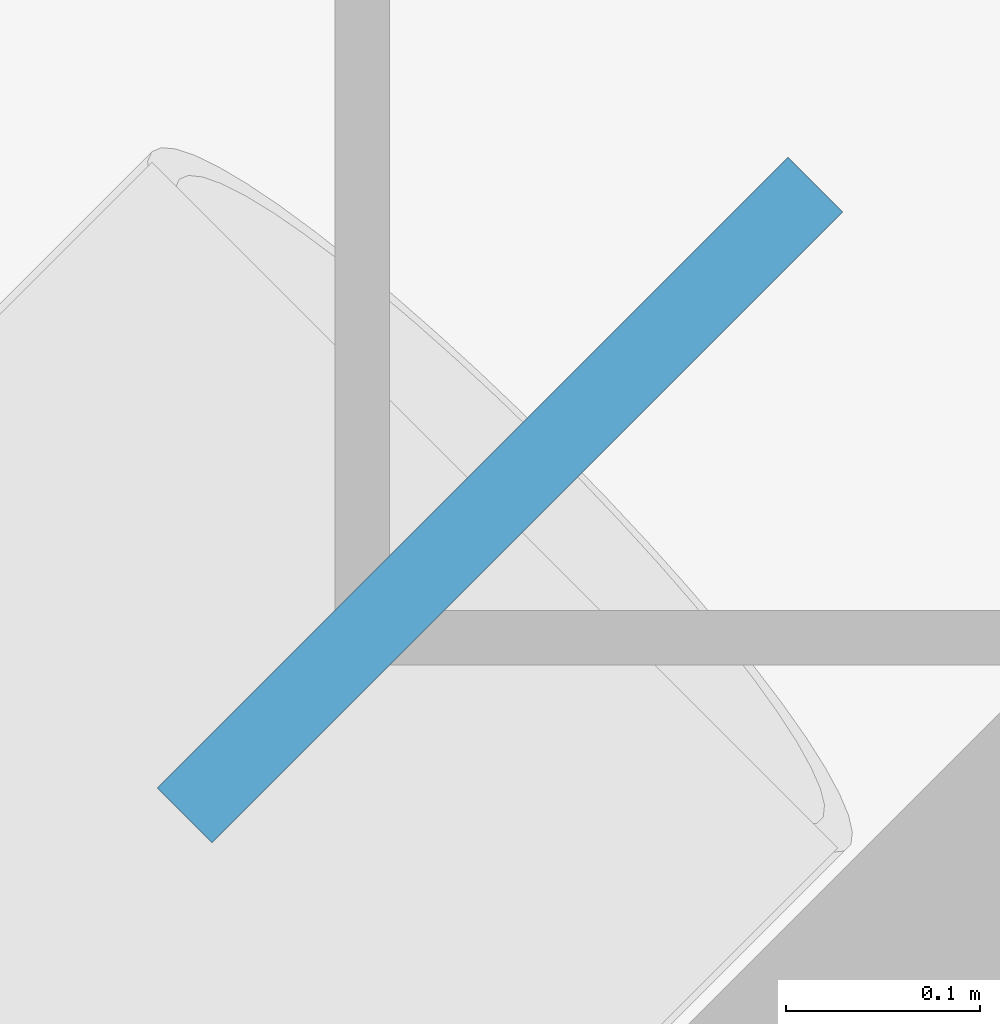
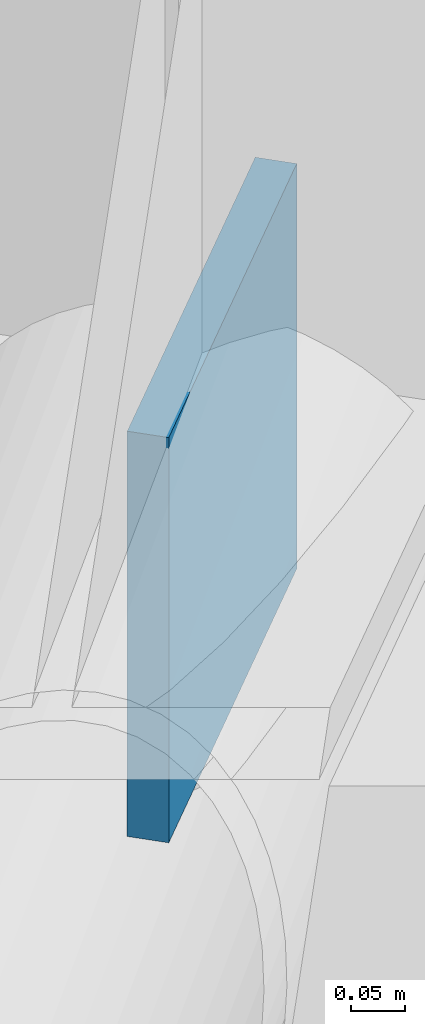
# One storey, part 17 of 19: 1 discrete accessory.
"""IFC4 building model written with IfcOpenShell, lengths in metres."""

from ifc_helpers import new_model, si_unit, direction, frame, origin, origin_2d, place, context, subcontext, project, spatial, rectangle, extrude, material, type_object, element, save


model = new_model("IFC4")

# Units and contexts
model_context = context("Model", 3, precision=1e-05, world=origin(), true_north=direction((0.0, 1.0)))
body_context = subcontext(model_context, "Body", "Model", "MODEL_VIEW")
ifc_project = project(units=[si_unit("LENGTHUNIT", "METRE"), si_unit("AREAUNIT", "SQUARE_METRE"), si_unit("VOLUMEUNIT", "CUBIC_METRE"), si_unit("PLANEANGLEUNIT", "RADIAN"), si_unit("MASSUNIT", "GRAM", prefix="KILO")], contexts=[model_context])

# Site, building, storey
site_placement = place(None, origin())
site = spatial("IfcSite", under=ifc_project, at=site_placement, CompositionType="ELEMENT")
building_placement = place(site_placement, origin())
building = spatial("IfcBuilding", under=site, at=building_placement, Name="Tavrogorsk Clinical Tower", CompositionType="ELEMENT")
storey_placement = place(building_placement, frame((0.0, 0.0, 204.199951171875)))
storey = spatial("IfcBuildingStorey", under=building, at=storey_placement, Name="L47", CompositionType="ELEMENT", Elevation=204.199951171875)

# Discrete accessory
ifc_material = material(Name="Structural steel S440", Category="steel")
discrete_accessory_type = type_object("IfcDiscreteAccessoryType", Name="GussetPlateBracket_25", PredefinedType="BRACKET", material=ifc_material)
discrete_accessory_placement = place(storey_placement, frame((-28.135009765625, 26.204833984375, 1.1513671875), z_axis=(0.0, 0.0, 1.0), x_axis=(0.707106781187, 0.707106781187, 0.0)))
element("IfcDiscreteAccessory", 1, at=discrete_accessory_placement, inside=storey, type_object=discrete_accessory_type, Name="L47 Brace Gusset Plate EXOCRN-L47-3-B", PredefinedType="BRACKET", context=body_context, shape_type="SweptSolid", body=[
    extrude(rectangle(XDim=0.4599609375, YDim=0.0400390625, at=origin_2d()), origin(), (0.0, 0.0, 1.0), 0.4599609375),
])

save(model, "model.ifc")
